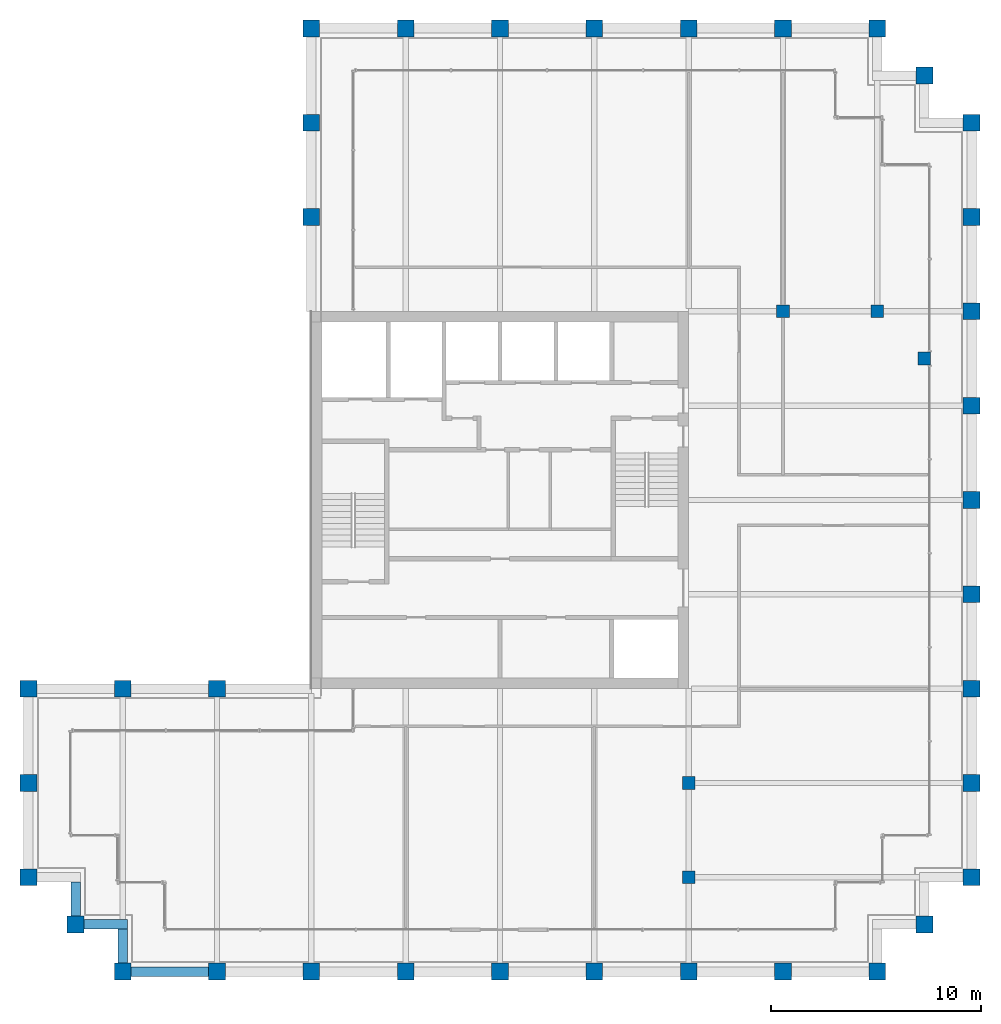
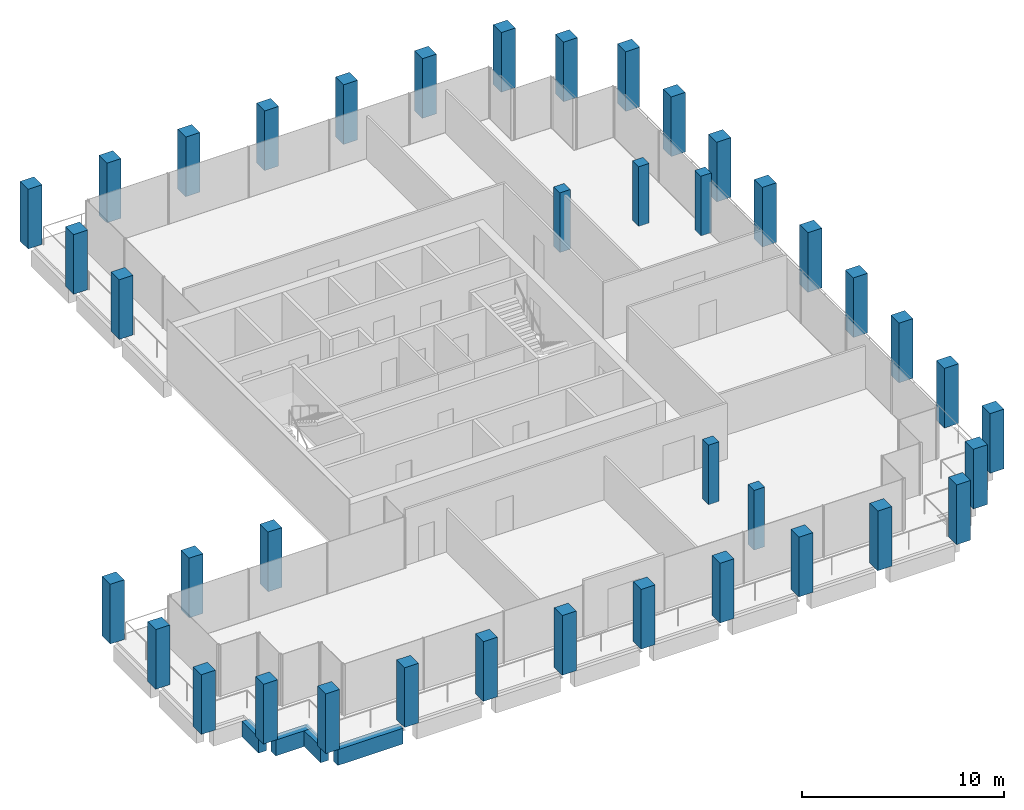
# One storey, part 1 of 30: 40 columns, 4 beams.
"""IFC4 building model written with IfcOpenShell, lengths in metres."""

from ifc_helpers import new_model, si_unit, direction, frame, origin, origin_2d, place, context, subcontext, project, spatial, rectangle, extrude, material, material_profile, profile_set, type_object, element, save


model = new_model("IFC4")

# Units and contexts
model_context = context("Model", 3, precision=1e-05, world=origin(), true_north=direction((0.0, 1.0)))
body_context = subcontext(model_context, "Body", "Model", "MODEL_VIEW")
ifc_project = project(units=[si_unit("LENGTHUNIT", "METRE"), si_unit("AREAUNIT", "SQUARE_METRE"), si_unit("VOLUMEUNIT", "CUBIC_METRE"), si_unit("PLANEANGLEUNIT", "RADIAN"), si_unit("MASSUNIT", "GRAM", prefix="KILO")], contexts=[model_context])

# Site, building, storey
site_placement = place(None, origin())
site = spatial("IfcSite", under=ifc_project, at=site_placement, CompositionType="ELEMENT")
building_placement = place(site_placement, origin())
building = spatial("IfcBuilding", under=site, at=building_placement, Name="Altepetl Exchange Towers", CompositionType="ELEMENT")
storey_placement = place(building_placement, frame((0.0, 0.0, 242.39990234375)))
storey = spatial("IfcBuildingStorey", under=building, at=storey_placement, Name="L62", CompositionType="ELEMENT", Elevation=242.39990234375)

# Columns
ifc_material_1 = material(Name="Concrete C70/85", Category="concrete")
ifc_material_profile_1 = material_profile(ifc_material_1, rectangle(XDim=0.60009765625, YDim=0.60009765625, at=origin_2d()), Name="600 x 600")
ifc_profile_set_1 = profile_set([ifc_material_profile_1], Name="Concrete C70/85")
column_type_1 = type_object("IfcColumnType", Name="Interior column 600", PredefinedType="COLUMN", material=ifc_profile_set_1)
for number, where, name in (
    (1, (58.5, 31.5, 0.0), "col:A:L62:035"),
    (2, (58.5, 36.0, 0.0), "col:A:L62:036"),
    (3, (63.0, 58.5, 0.0), "col:A:L62:037"),
    (4, (67.5, 58.5, 0.0), "col:A:L62:038"),
    (5, (69.75, 56.25, 0.0), "col:A:L62:039"),
):
    element("IfcColumn", number, at=place(storey_placement, frame(where)), inside=storey, type_object=column_type_1, Name=name, PredefinedType="COLUMN", context=body_context, shape_type="SweptSolid", body=[
        extrude(rectangle(XDim=0.60009765625, YDim=0.60009765625, at=origin_2d()), origin(), (0.0, 0.0, 1.0), 3.60009765625),
    ])
ifc_material_2 = material(Name="Concrete C70/85 precast with cantera amarilla facing", Category="concrete")
ifc_material_profile_2 = material_profile(ifc_material_2, rectangle(XDim=0.800048828125, YDim=0.800048828125, at=origin_2d()), Name="800 x 800")
ifc_profile_set_2 = profile_set([ifc_material_profile_2], Name="Concrete C70/85 precast with cantera amarilla facing")
column_type_2 = type_object("IfcColumnType", Name="Perimeter column 800 cantera amarilla", PredefinedType="COLUMN", material=ifc_profile_set_2)
for number, where, name in (
    (6, (58.5, 27.0, 0.0), "col:A:L62:006"),
    (7, (63.0, 27.0, 0.0), "col:A:L62:007"),
    (8, (67.5, 27.0, 0.0), "col:A:L62:008"),
    (9, (69.75, 29.25, 0.0), "col:A:L62:009"),
    (10, (72.0, 31.5, 0.0), "col:A:L62:010"),
    (11, (72.0, 36.0, 0.0), "col:A:L62:011"),
    (12, (72.0, 40.5, 0.0), "col:A:L62:012"),
    (13, (72.0, 45.0, 0.0), "col:A:L62:013"),
    (14, (72.0, 49.5, 0.0), "col:A:L62:014"),
    (15, (72.0, 54.0, 0.0), "col:A:L62:015"),
):
    element("IfcColumn", number, at=place(storey_placement, frame(where)), inside=storey, type_object=column_type_2, Name=name, PredefinedType="COLUMN", context=body_context, shape_type="SweptSolid", body=[
        extrude(rectangle(XDim=0.800048828125, YDim=0.800048828125, at=origin_2d()), origin(), (0.0, 0.0, 1.0), 3.60009765625),
    ])
ifc_material_3 = material(Name="Concrete C70/85 precast with cantera blanca facing", Category="concrete")
ifc_material_profile_3 = material_profile(ifc_material_3, rectangle(XDim=0.800048828125, YDim=0.800048828125, at=origin_2d()), Name="800 x 800")
ifc_profile_set_3 = profile_set([ifc_material_profile_3], Name="Concrete C70/85 precast with cantera blanca facing")
column_type_3 = type_object("IfcColumnType", Name="Perimeter column 800 cantera blanca", PredefinedType="COLUMN", material=ifc_profile_set_3)
for number, where, name in (
    (16, (31.5, 27.0, 0.0), "col:A:L62:000"),
    (17, (36.0, 27.0, 0.0), "col:A:L62:001"),
    (18, (40.5, 27.0, 0.0), "col:A:L62:002"),
    (19, (45.0, 27.0, 0.0), "col:A:L62:003"),
    (20, (49.5, 27.0, 0.0), "col:A:L62:004"),
    (21, (54.0, 27.0, 0.0), "col:A:L62:005"),
    (22, (27.0, 36.0, 0.0), "col:A:L62:032"),
    (23, (27.0, 31.5, 0.0), "col:A:L62:033"),
    (24, (29.25, 29.25, 0.0), "col:A:L62:034"),
):
    element("IfcColumn", number, at=place(storey_placement, frame(where)), inside=storey, type_object=column_type_3, Name=name, PredefinedType="COLUMN", context=body_context, shape_type="SweptSolid", body=[
        extrude(rectangle(XDim=0.800048828125, YDim=0.800048828125, at=origin_2d()), origin(), (0.0, 0.0, 1.0), 3.60009765625),
    ])
ifc_material_4 = material(Name="Concrete C70/85 precast with cantera rosa facing", Category="concrete")
ifc_material_profile_4 = material_profile(ifc_material_4, rectangle(XDim=0.800048828125, YDim=0.800048828125, at=origin_2d()), Name="800 x 800")
ifc_profile_set_4 = profile_set([ifc_material_profile_4], Name="Concrete C70/85 precast with cantera rosa facing")
column_type_4 = type_object("IfcColumnType", Name="Perimeter column 800 cantera rosa", PredefinedType="COLUMN", material=ifc_profile_set_4)
for number, where, name in (
    (25, (72.0, 58.5, 0.0), "col:A:L62:016"),
    (26, (72.0, 63.0, 0.0), "col:A:L62:017"),
    (27, (72.0, 67.5, 0.0), "col:A:L62:018"),
    (28, (69.75, 69.75, 0.0), "col:A:L62:019"),
    (29, (67.5, 72.0, 0.0), "col:A:L62:020"),
    (30, (63.0, 72.0, 0.0), "col:A:L62:021"),
    (31, (58.5, 72.0, 0.0), "col:A:L62:022"),
    (32, (54.0, 72.0, 0.0), "col:A:L62:023"),
    (33, (49.5, 72.0, 0.0), "col:A:L62:024"),
    (34, (45.0, 72.0, 0.0), "col:A:L62:025"),
):
    element("IfcColumn", number, at=place(storey_placement, frame(where)), inside=storey, type_object=column_type_4, Name=name, PredefinedType="COLUMN", context=body_context, shape_type="SweptSolid", body=[
        extrude(rectangle(XDim=0.800048828125, YDim=0.800048828125, at=origin_2d()), origin(), (0.0, 0.0, 1.0), 3.60009765625),
    ])
ifc_material_5 = material(Name="Concrete C70/85 precast with tezontle facing", Category="concrete")
ifc_material_profile_5 = material_profile(ifc_material_5, rectangle(XDim=0.800048828125, YDim=0.800048828125, at=origin_2d()), Name="800 x 800")
ifc_profile_set_5 = profile_set([ifc_material_profile_5], Name="Concrete C70/85 precast with tezontle facing")
column_type_5 = type_object("IfcColumnType", Name="Perimeter column 800 tezontle", PredefinedType="COLUMN", material=ifc_profile_set_5)
for number, where, name in (
    (35, (40.5, 72.0, 0.0), "col:A:L62:026"),
    (36, (40.5, 67.5, 0.0), "col:A:L62:027"),
    (37, (40.5, 63.0, 0.0), "col:A:L62:028"),
    (38, (36.0, 40.5, 0.0), "col:A:L62:029"),
    (39, (31.5, 40.5, 0.0), "col:A:L62:030"),
    (40, (27.0, 40.5, 0.0), "col:A:L62:031"),
):
    element("IfcColumn", number, at=place(storey_placement, frame(where)), inside=storey, type_object=column_type_5, Name=name, PredefinedType="COLUMN", context=body_context, shape_type="SweptSolid", body=[
        extrude(rectangle(XDim=0.800048828125, YDim=0.800048828125, at=origin_2d()), origin(), (0.0, 0.0, 1.0), 3.60009765625),
    ])

# Beams
ifc_material_6 = material(Name="Concrete C50/60 precast with cantera blanca facing", Category="concrete")
ifc_material_profile_6 = material_profile(ifc_material_6, rectangle(XDim=0.449951171875, YDim=0.949951171875, at=origin_2d()), Name="450 x 950")
ifc_profile_set_6 = profile_set([ifc_material_profile_6], Name="Concrete C50/60 precast with cantera blanca facing")
beam_type = type_object("IfcBeamType", Name="Spandrel beam 450x950 cantera blanca", PredefinedType="SPANDREL", material=ifc_profile_set_6)
beam_1_placement = place(storey_placement, frame((31.89990234375, 27.0, -0.625), z_axis=(1.0, 0.0, 0.0), x_axis=(0.0, 1.0, 0.0)))
element("IfcBeam", 41, at=beam_1_placement, inside=storey, type_object=beam_type, Name="sp:A:L62:000", PredefinedType="SPANDREL", context=body_context, shape_type="SweptSolid", body=[
    extrude(rectangle(XDim=0.449951171875, YDim=0.949951171875, at=origin_2d()), origin(), (0.0, 0.0, 1.0), 3.7001953125),
])
beam_2_placement = place(storey_placement, frame((29.25, 31.27490234375, -0.625), z_axis=(0.0, -1.0, 0.0), x_axis=(1.0, 0.0, 0.0)))
element("IfcBeam", 42, at=beam_2_placement, inside=storey, type_object=beam_type, Name="sp:A:L62:039", PredefinedType="SPANDREL", context=body_context, shape_type="SweptSolid", body=[
    extrude(rectangle(XDim=0.449951171875, YDim=0.949951171875, at=origin_2d()), origin(), (0.0, 0.0, 1.0), 1.625),
])
beam_3_placement = place(storey_placement, frame((29.64990234375, 29.25, -0.625), z_axis=(1.0, 0.0, 0.0), x_axis=(0.0, 1.0, 0.0)))
element("IfcBeam", 43, at=beam_3_placement, inside=storey, type_object=beam_type, Name="sp:A:L62:040", PredefinedType="SPANDREL", context=body_context, shape_type="SweptSolid", body=[
    extrude(rectangle(XDim=0.449951171875, YDim=0.949951171875, at=origin_2d()), origin(), (0.0, 0.0, 1.0), 2.0751953125),
])
beam_4_placement = place(storey_placement, frame((31.5, 29.02490234375, -0.625), z_axis=(0.0, -1.0, 0.0), x_axis=(1.0, 0.0, 0.0)))
element("IfcBeam", 44, at=beam_4_placement, inside=storey, type_object=beam_type, Name="sp:A:L62:041", PredefinedType="SPANDREL", context=body_context, shape_type="SweptSolid", body=[
    extrude(rectangle(XDim=0.449951171875, YDim=0.949951171875, at=origin_2d()), origin(), (0.0, 0.0, 1.0), 1.625),
])

save(model, "model.ifc")
